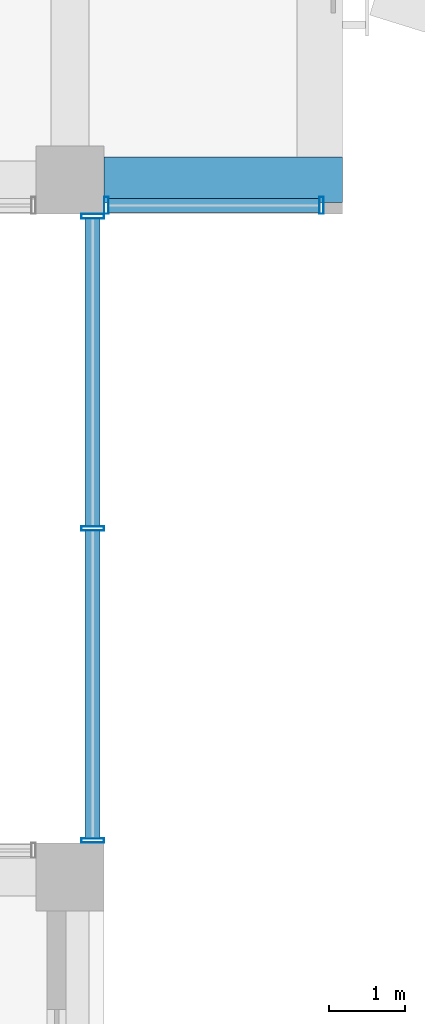
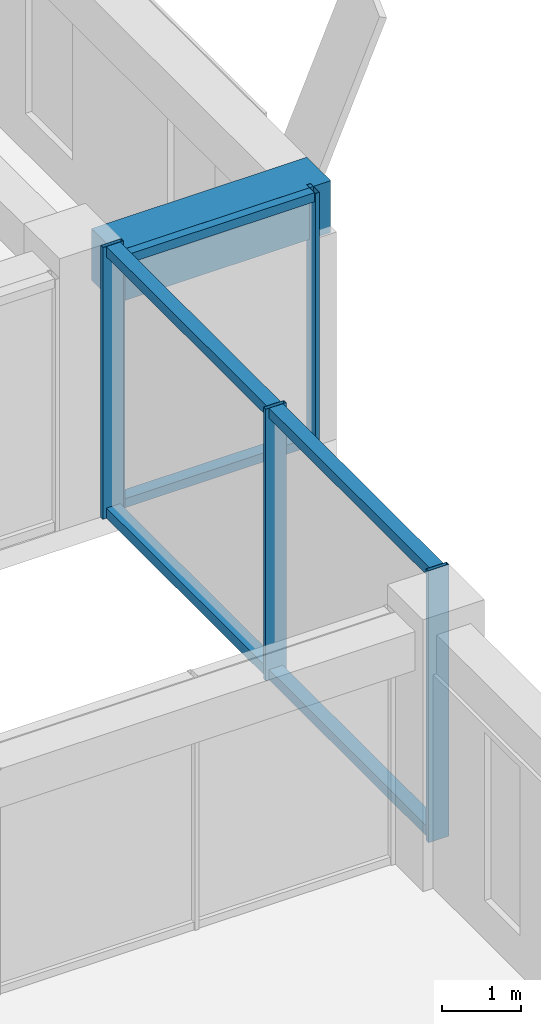
# One storey, part 19 of 37: 11 members, 1 beam, 2 elements without a shape of their own.
"""IFC4 building model written with IfcOpenShell, lengths in metres."""

from ifc_helpers import new_model, si_unit, direction, frame, origin, origin_2d, place, context, subcontext, project, spatial, rectangle, hollow_rectangle, extrude, material, layer, layer_set, material_profile, profile_set, type_object, element, aggregate, save


model = new_model("IFC4")

# Units and contexts
model_context = context("Model", 3, precision=1e-05, world=origin(), true_north=direction((0.0, 1.0)))
body_context = subcontext(model_context, "Body", "Model", "MODEL_VIEW")
ifc_project = project(units=[si_unit("LENGTHUNIT", "METRE"), si_unit("AREAUNIT", "SQUARE_METRE"), si_unit("VOLUMEUNIT", "CUBIC_METRE"), si_unit("PLANEANGLEUNIT", "RADIAN"), si_unit("MASSUNIT", "GRAM", prefix="KILO")], contexts=[model_context])

# Site, building, storey
site_placement = place(None, origin())
site = spatial("IfcSite", under=ifc_project, at=site_placement, CompositionType="ELEMENT")
building_placement = place(site_placement, origin())
building = spatial("IfcBuilding", under=site, at=building_placement, Name="Nzadi Deep Aquarium and Research Tower", CompositionType="ELEMENT")
storey_placement = place(building_placement, frame((0.0, 0.0, 61.300048828125)))
storey = spatial("IfcBuildingStorey", under=building, at=storey_placement, Name="L12", CompositionType="ELEMENT", Elevation=61.300048828125)

# Curtain wall, members
ifc_material_1 = material(Name="Aluminium unitised frame deep", Category="aluminium")
ifc_layer_1 = layer(ifc_material_1, 0.22509765625)
ifc_layer_set_1 = layer_set([ifc_layer_1], Name="Aluminium unitised frame deep")
curtain_wall_type_1 = type_object("IfcCurtainWallType", Name="Curtain wall Unitised Deep 225", PredefinedType="NOTDEFINED", material=ifc_layer_set_1)
curtain_wall_1_placement = place(storey_placement, origin())
curtain_wall_1 = element("IfcCurtainWall", 1, at=curtain_wall_1_placement, inside=storey, type_object=curtain_wall_type_1, Name="Unitised curtain wall blade B south L12", PredefinedType="NOTDEFINED")
ifc_material_2 = material(Name="Aluminium unitised frame deep", Category="aluminium")
ifc_material_profile_1 = material_profile(ifc_material_2, hollow_rectangle(XDim=0.22509765625, YDim=0.06005859375, WallThickness=0.0048828125, at=origin_2d()))
ifc_profile_set_1 = profile_set([ifc_material_profile_1], Name="Aluminium unitised frame deep")
member_type_1 = type_object("IfcMemberType", Name="Mullion 60x225 Unitised Deep", PredefinedType="MULLION", material=ifc_profile_set_1)
member_1_placement = place(storey_placement, frame((48.47998046875, 27.262451171875, 0.0), z_axis=(0.0, 0.0, 1.0), x_axis=(0.0, 1.0, 0.0)))
member_1 = element("IfcMember", 2, at=member_1_placement, type_object=member_type_1, Name="CW157 mullion 1", PredefinedType="MULLION", context=body_context, shape_type="SweptSolid", body=[
    extrude(hollow_rectangle(XDim=0.22509765625, YDim=0.06005859375, WallThickness=0.0048828125, at=origin_2d()), origin(), (0.0, 0.0, 1.0), 3.89990234375),
])
member_2_placement = place(storey_placement, frame((51.320068359375, 27.262451171875, 0.0), z_axis=(0.0, 0.0, 1.0), x_axis=(0.0, 1.0, 0.0)))
member_2 = element("IfcMember", 3, at=member_2_placement, type_object=member_type_1, Name="CW157 mullion 2", PredefinedType="MULLION", context=body_context, shape_type="SweptSolid", body=[
    extrude(hollow_rectangle(XDim=0.22509765625, YDim=0.06005859375, WallThickness=0.0048828125, at=origin_2d()), origin(), (0.0, 0.0, 1.0), 3.89990234375),
])

ifc_material_3 = material(Name="Aluminium unitised frame wind post", Category="aluminium")
ifc_layer_2 = layer(ifc_material_3, 0.300048828125)
ifc_layer_set_2 = layer_set([ifc_layer_2], Name="Aluminium unitised frame wind post")
curtain_wall_type_2 = type_object("IfcCurtainWallType", Name="Curtain wall Slot End 300", PredefinedType="NOTDEFINED", material=ifc_layer_set_2)
curtain_wall_2_placement = place(storey_placement, origin())
curtain_wall_2 = element("IfcCurtainWall", 4, at=curtain_wall_2_placement, inside=storey, type_object=curtain_wall_type_2, Name="Glazed slot end east L12", PredefinedType="NOTDEFINED")
ifc_material_4 = material(Name="Aluminium unitised frame wind post", Category="aluminium")
ifc_material_profile_2 = material_profile(ifc_material_4, hollow_rectangle(XDim=0.300048828125, YDim=0.06005859375, WallThickness=0.0048828125, at=origin_2d()))
ifc_profile_set_2 = profile_set([ifc_material_profile_2], Name="Aluminium unitised frame wind post")
member_type_2 = type_object("IfcMemberType", Name="Mullion 60x300 Slot End", PredefinedType="MULLION", material=ifc_profile_set_2)
member_3_placement = place(storey_placement, frame((48.300048828125, 18.8798828125, 0.0), z_axis=(0.0, 0.0, 1.0), x_axis=(-1.0, 0.0, 0.0)))
member_3 = element("IfcMember", 5, at=member_3_placement, type_object=member_type_2, Name="CW216 mullion 1", PredefinedType="MULLION", context=body_context, shape_type="SweptSolid", body=[
    extrude(hollow_rectangle(XDim=0.300048828125, YDim=0.06005859375, WallThickness=0.0048828125, at=origin_2d()), origin(), (0.0, 0.0, 1.0), 4.199951171875),
])
member_4_placement = place(storey_placement, frame((48.300048828125, 23.0, 0.0), z_axis=(0.0, 0.0, 1.0), x_axis=(-1.0, 0.0, 0.0)))
member_4 = element("IfcMember", 6, at=member_4_placement, type_object=member_type_2, Name="CW216 mullion 2", PredefinedType="MULLION", context=body_context, shape_type="SweptSolid", body=[
    extrude(hollow_rectangle(XDim=0.300048828125, YDim=0.06005859375, WallThickness=0.0048828125, at=origin_2d()), origin(), (0.0, 0.0, 1.0), 4.199951171875),
])
member_5_placement = place(storey_placement, frame((48.300048828125, 27.1201171875, 0.0), z_axis=(0.0, 0.0, 1.0), x_axis=(-1.0, 0.0, 0.0)))
member_5 = element("IfcMember", 7, at=member_5_placement, type_object=member_type_2, Name="CW216 mullion 3", PredefinedType="MULLION", context=body_context, shape_type="SweptSolid", body=[
    extrude(hollow_rectangle(XDim=0.300048828125, YDim=0.06005859375, WallThickness=0.0048828125, at=origin_2d()), origin(), (0.0, 0.0, 1.0), 4.199951171875),
])

# Beam
ifc_material_5 = material(Name="Concrete C35/45", Category="concrete")
ifc_material_profile_3 = material_profile(ifc_material_5, rectangle(XDim=0.60009765625, YDim=0.800048828125, at=origin_2d()))
ifc_profile_set_3 = profile_set([ifc_material_profile_3], Name="Concrete C35/45")
beam_type = type_object("IfcBeamType", Name="RC 600x800", PredefinedType="BEAM", material=ifc_profile_set_3)
beam_placement = place(storey_placement, frame((48.449951171875, 27.60009765625, 3.5), z_axis=(1.0, 0.0, 0.0), x_axis=(0.0, 1.0, 0.0)))
element("IfcBeam", 8, at=beam_placement, inside=storey, type_object=beam_type, Name="B-Z1-L12-CANT4", PredefinedType="BEAM", context=body_context, shape_type="SweptSolid", body=[
    extrude(rectangle(XDim=0.60009765625, YDim=0.800048828125, at=origin_2d()), origin(), (0.0, 0.0, 1.0), 3.150146484375),
])

# Member
ifc_material_6 = material(Name="Aluminium unitised frame deep", Category="aluminium")
ifc_material_profile_4 = material_profile(ifc_material_6, hollow_rectangle(XDim=0.179931640625, YDim=0.139892578125, WallThickness=0.0048828125, at=origin_2d()))
ifc_profile_set_4 = profile_set([ifc_material_profile_4], Name="Aluminium unitised frame deep")
member_type_3 = type_object("IfcMemberType", Name="Transom 140x180 Unitised Deep", PredefinedType="MULLION", material=ifc_profile_set_4)
member_6_placement = place(storey_placement, frame((48.510009765625, 27.262451171875, 0.070068359375), z_axis=(1.0, 0.0, 0.0), x_axis=(0.0, 1.0, 0.0)))
member_6 = element("IfcMember", 9, at=member_6_placement, type_object=member_type_3, Name="CW157 transom 1.1", PredefinedType="MULLION", context=body_context, shape_type="SweptSolid", body=[
    extrude(hollow_rectangle(XDim=0.179931640625, YDim=0.139892578125, WallThickness=0.0048828125, at=origin_2d()), origin(), (0.0, 0.0, 1.0), 2.780029296875),
])

member_7_placement = place(storey_placement, frame((48.510009765625, 27.262451171875, 3.829833984375), z_axis=(1.0, 0.0, 0.0), x_axis=(0.0, 1.0, 0.0)))
member_7 = element("IfcMember", 10, at=member_7_placement, type_object=member_type_3, Name="CW157 transom 1.2", PredefinedType="MULLION", context=body_context, shape_type="SweptSolid", body=[
    extrude(hollow_rectangle(XDim=0.179931640625, YDim=0.139892578125, WallThickness=0.0048828125, at=origin_2d()), origin(), (0.0, 0.0, 1.0), 2.780029296875),
])

aggregate(curtain_wall_1, [member_1, member_2, member_6, member_7])

ifc_material_7 = material(Name="Aluminium unitised frame wind post", Category="aluminium")
ifc_material_profile_5 = material_profile(ifc_material_7, hollow_rectangle(XDim=0.199951171875, YDim=0.159912109375, WallThickness=0.0048828125, at=origin_2d()))
ifc_profile_set_5 = profile_set([ifc_material_profile_5], Name="Aluminium unitised frame wind post")
member_type_4 = type_object("IfcMemberType", Name="Transom 160x200 Slot End", PredefinedType="MULLION", material=ifc_profile_set_5)
member_8_placement = place(storey_placement, frame((48.300048828125, 18.909912109375, 0.079833984375), z_axis=(0.0, 1.0, 0.0), x_axis=(-1.0, 0.0, 0.0)))
member_8 = element("IfcMember", 11, at=member_8_placement, type_object=member_type_4, Name="CW216 transom 1.1", PredefinedType="MULLION", context=body_context, shape_type="SweptSolid", body=[
    extrude(hollow_rectangle(XDim=0.199951171875, YDim=0.159912109375, WallThickness=0.0048828125, at=origin_2d()), origin(), (0.0, 0.0, 1.0), 4.06005859375),
])

member_9_placement = place(storey_placement, frame((48.300048828125, 18.909912109375, 4.119873046875), z_axis=(0.0, 1.0, 0.0), x_axis=(-1.0, 0.0, 0.0)))
member_9 = element("IfcMember", 12, at=member_9_placement, type_object=member_type_4, Name="CW216 transom 1.2", PredefinedType="MULLION", context=body_context, shape_type="SweptSolid", body=[
    extrude(hollow_rectangle(XDim=0.199951171875, YDim=0.159912109375, WallThickness=0.0048828125, at=origin_2d()), origin(), (0.0, 0.0, 1.0), 4.06005859375),
])

member_10_placement = place(storey_placement, frame((48.300048828125, 23.030029296875, 0.079833984375), z_axis=(0.0, 1.0, 0.0), x_axis=(-1.0, 0.0, 0.0)))
member_10 = element("IfcMember", 13, at=member_10_placement, type_object=member_type_4, Name="CW216 transom 2.1", PredefinedType="MULLION", context=body_context, shape_type="SweptSolid", body=[
    extrude(hollow_rectangle(XDim=0.199951171875, YDim=0.159912109375, WallThickness=0.0048828125, at=origin_2d()), origin(), (0.0, 0.0, 1.0), 4.06005859375),
])

member_11_placement = place(storey_placement, frame((48.300048828125, 23.030029296875, 4.119873046875), z_axis=(0.0, 1.0, 0.0), x_axis=(-1.0, 0.0, 0.0)))
member_11 = element("IfcMember", 14, at=member_11_placement, type_object=member_type_4, Name="CW216 transom 2.2", PredefinedType="MULLION", context=body_context, shape_type="SweptSolid", body=[
    extrude(hollow_rectangle(XDim=0.199951171875, YDim=0.159912109375, WallThickness=0.0048828125, at=origin_2d()), origin(), (0.0, 0.0, 1.0), 4.06005859375),
])

aggregate(curtain_wall_2, [member_3, member_4, member_5, member_8, member_9, member_10, member_11])

save(model, "model.ifc")
